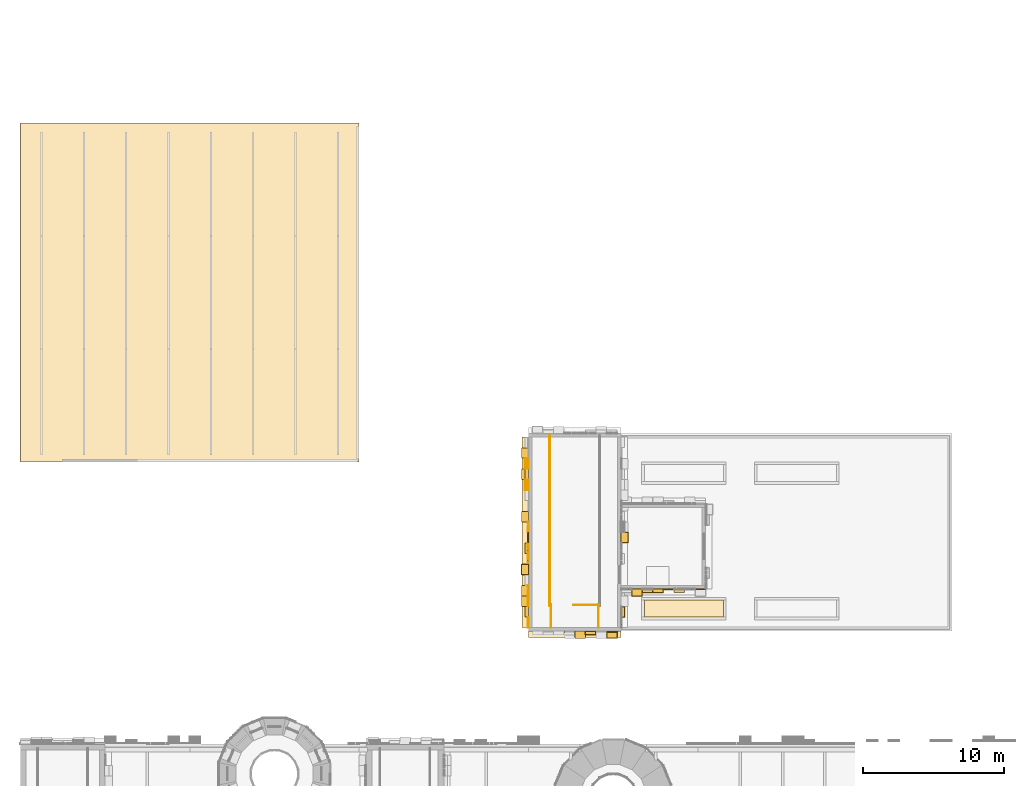
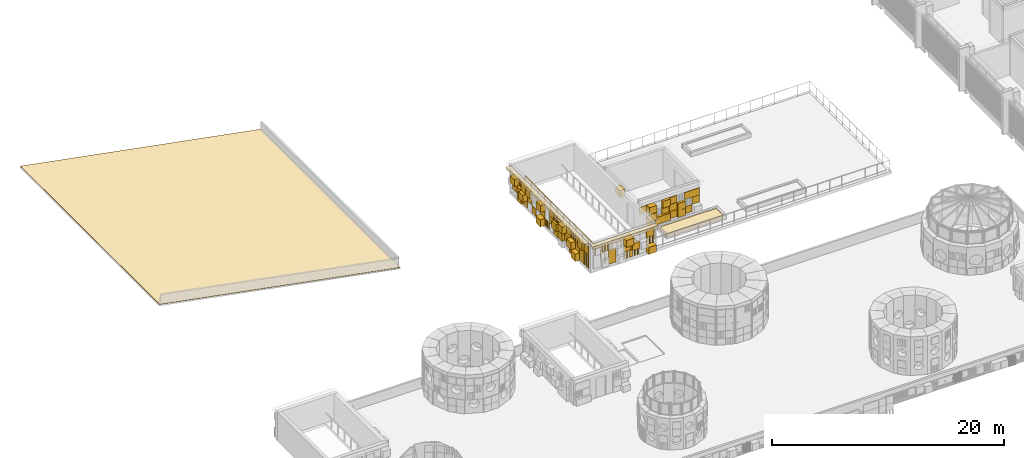
# One storey, part 80 of 98: 16 coverings, 4 railings.
"""IFC4 building model written with IfcOpenShell, lengths in metres."""

import ifcopenshell
import ifcopenshell.guid

model = None  # the IFC model being written
_history = None  # IfcOwnerHistory: only IFC2X3 demands one
_inside = {}  # id of a spatial element -> (the spatial element, [elements in it])
_under = {}  # id of a project, library or spatial element -> (it, [spatial elements below it])
_declared = {}  # id of a project -> (the project, [libraries it declares])
_typed = {}  # id of a type object -> (the type object, [elements of that type])
_made_of = {}  # id of a material, layer set ... -> (it, [elements and type objects made of it])


def new_model(schema):
    """Start an empty IFC model of exactly this schema.

    Asked for "IFC4X3", IfcOpenShell would pick the latest addendum, in which some entities
    have other attributes; the version numbers below select the first issue.
    IFC2X3 requires an IfcOwnerHistory on every rooted entity: one is made here for all.
    """
    global model, _history
    if schema == "IFC4X3":
        model = ifcopenshell.file(schema_version=(4, 3, 0, 0))
    else:
        model = ifcopenshell.file(schema=schema)
    _inside.clear()
    _under.clear()
    _declared.clear()
    _typed.clear()
    _made_of.clear()
    _history = None
    if model.schema == "IFC2X3":
        org = make("IfcOrganization", Name="unknown")
        user = make(
            "IfcPersonAndOrganization",
            ThePerson=make("IfcPerson", FamilyName="unknown"),
            TheOrganization=org,
        )
        app = make(
            "IfcApplication",
            ApplicationDeveloper=org,
            Version="unknown",
            ApplicationFullName="unknown",
            ApplicationIdentifier="unknown",
        )
        _history = make(
            "IfcOwnerHistory",
            OwningUser=user,
            OwningApplication=app,
            ChangeAction="ADDED",
            CreationDate=0,
        )
    return model


def make(cls, **values):
    """One entity of the class cls with the attributes given. An attribute that is None is left unset."""
    return model.create_entity(
        cls, **{name: value for name, value in values.items() if value is not None}
    )


def rooted(cls, **values):
    """An entity with a GlobalId (a new one), such as an element, a storey or a relation."""
    return make(cls, GlobalId=ifcopenshell.guid.new(), OwnerHistory=_history, **values)


def si_unit(unit_type, name, prefix=None):
    """IfcSIUnit, for example si_unit("LENGTHUNIT", "METRE", prefix="MILLI")."""
    return make("IfcSIUnit", UnitType=unit_type, Prefix=prefix, Name=name)


def assignment(units):
    """IfcUnitAssignment: the units of a project."""
    return None if units is None else make("IfcUnitAssignment", Units=units)


def point(xyz):
    """IfcCartesianPoint."""
    return None if xyz is None else make("IfcCartesianPoint", Coordinates=xyz)


def direction(xyz):
    """IfcDirection."""
    return None if xyz is None else make("IfcDirection", DirectionRatios=xyz)


def frame(location, z_axis=None, x_axis=None):
    """IfcAxis2Placement3D, a coordinate frame: its origin and axes. An axis left out is left unset."""
    return make(
        "IfcAxis2Placement3D",
        Location=point(location),
        Axis=direction(z_axis),
        RefDirection=direction(x_axis),
    )


def frame_2d(location, x_axis=None):
    """IfcAxis2Placement2D, a coordinate frame in the plane: its origin and x axis."""
    return make(
        "IfcAxis2Placement2D", Location=point(location), RefDirection=direction(x_axis)
    )


def origin():
    """The frame at (0, 0, 0) with its axes left unset."""
    return frame((0.0, 0.0, 0.0))


def origin_2d():
    """The frame at (0, 0) in the plane with its x axis left unset."""
    return frame_2d((0.0, 0.0))


def place(relative_to, where):
    """IfcLocalPlacement: puts the frame where relative to a parent placement (None: the world)."""
    return make(
        "IfcLocalPlacement", PlacementRelTo=relative_to, RelativePlacement=where
    )


def context(
    kind, dimensions, precision=None, world=None, true_north=None, identifier=None
):
    """IfcGeometricRepresentationContext, for example the 3D "Model" context."""
    return make(
        "IfcGeometricRepresentationContext",
        ContextIdentifier=identifier,
        ContextType=kind,
        CoordinateSpaceDimension=dimensions,
        Precision=precision,
        WorldCoordinateSystem=world,
        TrueNorth=true_north,
    )


def subcontext(parent, identifier, kind, view, scale=None):
    """IfcGeometricRepresentationSubContext, for example "Body" below "Model"."""
    return make(
        "IfcGeometricRepresentationSubContext",
        ContextIdentifier=identifier,
        ContextType=kind,
        ParentContext=parent,
        TargetScale=scale,
        TargetView=view,
    )


def project(units=None, contexts=None):
    """IfcProject with its units and contexts."""
    return rooted(
        "IfcProject",
        Name="project",
        RepresentationContexts=contexts,
        UnitsInContext=assignment(units),
    )


def spatial(cls, under=None, at=None, **own):
    """A site, building, storey or space (cls), placed at a placement, below another one or the project."""
    s = rooted(cls, ObjectPlacement=at, **own)
    if under is not None:
        _under.setdefault(under.id(), (under, []))[1].append(s)
    return s


def polyline(points):
    """IfcPolyline through the points."""
    return make("IfcPolyline", Points=[point(p) for p in points])


def profile(cls, at=None, kind="AREA", **sizes):
    """A parametric profile (cls). Its sizes go by their IFC names, for example OverallWidth=200.0."""
    return make(cls, ProfileType=kind, Position=at, **sizes)


def rectangle(**sizes):
    """IfcRectangleProfileDef."""
    return profile("IfcRectangleProfileDef", **sizes)


def circle(**sizes):
    """IfcCircleProfileDef."""
    return profile("IfcCircleProfileDef", **sizes)


def outline(outer, holes=None, kind="AREA"):
    """IfcArbitraryClosedProfileDef: a profile drawn as a closed curve; with holes, ...WithVoids."""
    if holes is None:
        return make("IfcArbitraryClosedProfileDef", ProfileType=kind, OuterCurve=outer)
    return make(
        "IfcArbitraryProfileDefWithVoids",
        ProfileType=kind,
        OuterCurve=outer,
        InnerCurves=holes,
    )


def extrude(swept, where, along, depth):
    """IfcExtrudedAreaSolid: the profile swept, set in the frame where, extruded along a direction by depth."""
    return make(
        "IfcExtrudedAreaSolid",
        SweptArea=swept,
        Position=where,
        ExtrudedDirection=direction(along),
        Depth=depth,
    )


def shape(context_of_items, identifier, shape_type, items):
    """IfcShapeRepresentation: the items that make up one representation, for example the "Body"."""
    return make(
        "IfcShapeRepresentation",
        ContextOfItems=context_of_items,
        RepresentationIdentifier=identifier,
        RepresentationType=shape_type,
        Items=items,
    )


def material(Name=None, Category=None):
    """IfcMaterial."""
    return make("IfcMaterial", Name=Name, Category=Category)


def layer(
    of_material, thickness, ventilated=None, Name=None, Category=None, Priority=None
):
    """IfcMaterialLayer: one layer of a wall or slab, of a material (None: an air gap)."""
    return make(
        "IfcMaterialLayer",
        Material=of_material,
        LayerThickness=thickness,
        IsVentilated=ventilated,
        Name=Name,
        Category=Category,
        Priority=Priority,
    )


def layer_set(layers, Name=None):
    """IfcMaterialLayerSet."""
    return make("IfcMaterialLayerSet", MaterialLayers=layers, LayerSetName=Name)


def made_of(thing, what):
    """Note that an element or type object is made of a material, layer set ...; save() writes the relation."""
    if what is not None:
        _made_of.setdefault(what.id(), (what, []))[1].append(thing)
    return thing


def type_object(cls, material=None, **own):
    """A type object (cls), such as IfcWallType, which elements share."""
    return made_of(rooted(cls, **own), material)


def element(
    cls,
    number,
    at=None,
    inside=None,
    cuts=None,
    type_object=None,
    material=None,
    context=None,
    identifier="Body",
    shape_type=None,
    held_by="IfcProductDefinitionShape",
    body=None,
    shapes=None,
    **own,
):
    """One element of the class cls, such as IfcWall. Its Tag is "e" and its number.

    at: its placement. inside: the storey or other place that contains it. cuts: it is an
    opening in that element (IfcRelVoidsElement). A single representation is given by context,
    identifier, shape_type and body (its items); several are given by shapes. held_by: the class
    of the entity that holds the representations. save() writes the other relations.
    """
    e = rooted(cls, Tag="e%d" % number, ObjectPlacement=at, **own)
    if body is not None:
        shapes = [shape(context, identifier, shape_type, body)]
    if shapes is not None:
        e.Representation = make(held_by, Representations=shapes)
    if inside is not None:
        _inside.setdefault(inside.id(), (inside, []))[1].append(e)
    if cuts is not None:
        rooted(
            "IfcRelVoidsElement", RelatingBuildingElement=cuts, RelatedOpeningElement=e
        )
    if type_object is not None:
        _typed.setdefault(type_object.id(), (type_object, []))[1].append(e)
    return made_of(e, material)


def aggregate(whole, parts):
    """IfcRelAggregates: a whole, such as a stair, and the parts it consists of."""
    return rooted("IfcRelAggregates", RelatingObject=whole, RelatedObjects=parts)


def save(model, path):
    """Write the relations noted so far, then the file.

    IfcRelAggregates (storeys below a building ...), IfcRelContainedInSpatialStructure (elements
    in a storey), IfcRelDefinesByType, IfcRelAssociatesMaterial and IfcRelDeclares: one each for
    every whole, place, type object, material and project.
    """
    for whole, parts in _under.values():
        aggregate(whole, parts)
    for where, things in _inside.values():
        rooted(
            "IfcRelContainedInSpatialStructure",
            RelatedElements=things,
            RelatingStructure=where,
        )
    for kind, things in _typed.values():
        rooted("IfcRelDefinesByType", RelatedObjects=things, RelatingType=kind)
    for what, things in _made_of.values():
        rooted("IfcRelAssociatesMaterial", RelatedObjects=things, RelatingMaterial=what)
    for by, libraries in _declared.values():
        rooted("IfcRelDeclares", RelatingContext=by, RelatedDefinitions=libraries)
    model.write(path)


model = new_model("IFC4")

# Units and contexts
model_context = context("Model", 3, precision=1e-05, world=origin(), true_north=direction((0.0, 1.0)))
body_context = subcontext(model_context, "Body", "Model", "MODEL_VIEW")
ifc_project = project(units=[si_unit("LENGTHUNIT", "METRE"), si_unit("AREAUNIT", "SQUARE_METRE"), si_unit("VOLUMEUNIT", "CUBIC_METRE"), si_unit("PLANEANGLEUNIT", "RADIAN"), si_unit("MASSUNIT", "GRAM", prefix="KILO")], contexts=[model_context])

# Site, building, storey
site_placement = place(None, origin())
site = spatial("IfcSite", under=ifc_project, at=site_placement, CompositionType="ELEMENT")
building_placement = place(site_placement, origin())
building = spatial("IfcBuilding", under=site, at=building_placement, Name="Sun Court Science Centre", CompositionType="ELEMENT")
storey_placement = place(building_placement, frame((0.0, 0.0, 15.75)))
storey = spatial("IfcBuildingStorey", under=building, at=storey_placement, Name="L03", CompositionType="ELEMENT", Elevation=15.75)

# Railings
ifc_material_1 = material(Name="Steel S275", Category="steel")
railing_type = type_object("IfcRailingType", Name="Guard 1100 steel balustrade", PredefinedType="GUARDRAIL", material=ifc_material_1)
railing_1_placement = place(storey_placement, frame((40.998046875, 37.847900390625, 0.0)))
element("IfcRailing", 1, at=railing_1_placement, inside=storey, type_object=railing_type, Name="L03 SP1 top well guard 1", PredefinedType="GUARDRAIL", context=body_context, shape_type="SweptSolid", body=[
    extrude(circle(Radius=0.02392578125, at=origin_2d()), frame((0.0, 0.0, 1.076171875), z_axis=(-1.0, 0.0, 0.0), x_axis=(0.0, -1.0, 0.0)), (0.0, 0.0, 1.0), 1.798095703125),
    extrude(circle(Radius=0.02099609375, at=origin_2d()), origin(), (0.0, 0.0, 1.0), 1.052001953125),
    extrude(circle(Radius=0.02099609375, at=origin_2d()), frame((-0.89892578125, 0.0, 0.0)), (0.0, 0.0, 1.0), 1.052001953125),
    extrude(circle(Radius=0.02099609375, at=origin_2d()), frame((-1.798095703125, 0.0, 0.0)), (0.0, 0.0, 1.0), 1.052001953125),
])
railing_2_placement = place(storey_placement, frame((37.501953125, 37.798095703125, 0.0)))
element("IfcRailing", 2, at=railing_2_placement, inside=storey, type_object=railing_type, Name="L03 SP1 top well guard 3", PredefinedType="GUARDRAIL", context=body_context, shape_type="SweptSolid", body=[
    extrude(circle(Radius=0.02392578125, at=origin_2d()), frame((0.0, 0.0, 1.076171875), z_axis=(0.0, 1.0, 0.0), x_axis=(-1.0, 0.0, 0.0)), (0.0, 0.0, 1.0), 12.052001953125),
    extrude(circle(Radius=0.02099609375, at=origin_2d()), origin(), (0.0, 0.0, 1.0), 1.052001953125),
    extrude(circle(Radius=0.02099609375, at=origin_2d()), frame((0.0, 1.095703125, 0.0)), (0.0, 0.0, 1.0), 1.052001953125),
    extrude(circle(Radius=0.02099609375, at=origin_2d()), frame((0.0, 2.191162109375, 0.0)), (0.0, 0.0, 1.0), 1.052001953125),
    extrude(circle(Radius=0.02099609375, at=origin_2d()), frame((0.0, 3.286865234375, 0.0)), (0.0, 0.0, 1.0), 1.052001953125),
    extrude(circle(Radius=0.02099609375, at=origin_2d()), frame((0.0, 4.382568359375, 0.0)), (0.0, 0.0, 1.0), 1.052001953125),
    extrude(circle(Radius=0.02099609375, at=origin_2d()), frame((0.0, 5.478271484375, 0.0)), (0.0, 0.0, 1.0), 1.052001953125),
    extrude(circle(Radius=0.02099609375, at=origin_2d()), frame((0.0, 6.57373046875, 0.0)), (0.0, 0.0, 1.0), 1.052001953125),
    extrude(circle(Radius=0.02099609375, at=origin_2d()), frame((0.0, 7.66943359375, 0.0)), (0.0, 0.0, 1.0), 1.052001953125),
    extrude(circle(Radius=0.02099609375, at=origin_2d()), frame((0.0, 8.76513671875, 0.0)), (0.0, 0.0, 1.0), 1.052001953125),
    extrude(circle(Radius=0.02099609375, at=origin_2d()), frame((0.0, 9.86083984375, 0.0)), (0.0, 0.0, 1.0), 1.052001953125),
    extrude(circle(Radius=0.02099609375, at=origin_2d()), frame((0.0, 10.956298828125, 0.0)), (0.0, 0.0, 1.0), 1.052001953125),
    extrude(circle(Radius=0.02099609375, at=origin_2d()), frame((0.0, 12.052001953125, 0.0)), (0.0, 0.0, 1.0), 1.052001953125),
])
for number, where, name in (
    (3, (40.947998046875, 36.25, 0.0), "L03 SP1 top well guard 4"),
    (4, (37.60205078125, 36.25, 0.0), "L03 SP1 top well guard 5"),
):
    element("IfcRailing", number, at=place(storey_placement, frame(where)), inside=storey, type_object=railing_type, Name=name, PredefinedType="GUARDRAIL", context=body_context, shape_type="SweptSolid", body=[
        extrude(circle(Radius=0.02392578125, at=origin_2d()), frame((0.0, 0.0, 1.076171875), z_axis=(0.0, 1.0, 0.0), x_axis=(-1.0, 0.0, 0.0)), (0.0, 0.0, 1.0), 1.64794921875),
        extrude(circle(Radius=0.02099609375, at=origin_2d()), origin(), (0.0, 0.0, 1.0), 1.052001953125),
        extrude(circle(Radius=0.02099609375, at=origin_2d()), frame((0.0, 0.823974609375, 0.0)), (0.0, 0.0, 1.0), 1.052001953125),
        extrude(circle(Radius=0.02099609375, at=origin_2d()), frame((0.0, 1.64794921875, 0.0)), (0.0, 0.0, 1.0), 1.052001953125),
    ])

# Coverings
ifc_material_2 = material(Name="Planting soil and lawn")
ifc_layer_1 = layer(ifc_material_2, 0.199951171875)
ifc_layer_set_1 = layer_set([ifc_layer_1], Name="Planting soil and lawn")
covering_type_1 = type_object("IfcCoveringType", Name="Planting bed 200", PredefinedType="FLOORING", material=ifc_layer_set_1)
covering_1_placement = place(storey_placement, origin())
element("IfcCovering", 5, at=covering_1_placement, inside=storey, type_object=covering_type_1, Name="Roof garden planting bed", PredefinedType="FLOORING", context=body_context, shape_type="SweptSolid", body=[
    extrude(outline(polyline([(44.199951171875, 37.0), (49.800048828125, 37.0), (49.800048828125, 38.199951171875), (44.199951171875, 38.199951171875), (44.199951171875, 37.0)])), origin(), (0.0, 0.0, 1.0), 0.39990234375),
])
ifc_material_3 = material(Name="Zinc roofing")
ifc_layer_2 = layer(ifc_material_3, 0.030029296875)
ifc_layer_set_2 = layer_set([ifc_layer_2], Name="Zinc roofing")
covering_type_2 = type_object("IfcCoveringType", Name="Standing seam roofing 30", PredefinedType="ROOFING", material=ifc_layer_set_2)
covering_2_placement = place(storey_placement, frame((0.011962890625, 48.0, 1.780029296875), z_axis=(0.184377316615, 0.0, 0.98285553624), x_axis=(0.98285553624, 0.0, -0.184377316615)))
element("IfcCovering", 6, at=covering_2_placement, inside=storey, type_object=covering_type_2, Name="Theatre roof zinc roofing", PredefinedType="ROOFING", context=body_context, shape_type="SweptSolid", body=[
    extrude(outline(polyline([(0.0, 0.0), (24.40647300125014, 0.0), (24.40647300125014, 24.0), (0.0, 24.0), (0.0, 0.0)])), origin(), (0.0, 0.0, -1.0), 0.030029296875),
])
ifc_material_4 = material(Name="Terracotta panel", Category="masonry")
ifc_layer_3 = layer(ifc_material_4, 0.449951171875)
ifc_layer_set_3 = layer_set([ifc_layer_3], Name="Terracotta panel")
covering_type_3 = type_object("IfcCoveringType", Name="Terracotta cornice 450", PredefinedType="CLADDING", material=ifc_layer_set_3)
covering_3_placement = place(storey_placement, frame((0.0, 0.0, -15.75)))
element("IfcCovering", 7, at=covering_3_placement, inside=storey, type_object=covering_type_3, Name="Terracotta cornice south face of core L03", PredefinedType="CLADDING", context=body_context, shape_type="SweptSolid", body=[
    extrude(rectangle(XDim=6.550048828125, YDim=0.449951171875, at=origin_2d()), frame((39.27490234375, 35.77490234375, 18.2001953125), z_axis=(0.0, 0.0, 1.0), x_axis=(-1.0, 0.0, 0.0)), (0.0, 0.0, 1.0), 0.300048828125),
])
covering_4_placement = place(storey_placement, frame((0.0, 0.0, -15.75)))
element("IfcCovering", 8, at=covering_4_placement, inside=storey, type_object=covering_type_3, Name="Terracotta cornice west face of core L03", PredefinedType="CLADDING", context=body_context, shape_type="SweptSolid", body=[
    extrude(rectangle(XDim=13.5, YDim=0.449951171875, at=origin_2d()), frame((35.77490234375, 43.0, 18.2001953125), z_axis=(0.0, 0.0, 1.0), x_axis=(0.0, 1.0, 0.0)), (0.0, 0.0, 1.0), 0.300048828125),
])
ifc_material_5 = material(Name="Terracotta jali", Category="masonry")
ifc_layer_4 = layer(ifc_material_5, 0.06005859375)
ifc_layer_set_4 = layer_set([ifc_layer_4], Name="Terracotta jali")
covering_type_4 = type_object("IfcCoveringType", Name="Terracotta open jali panel", PredefinedType="CLADDING", material=ifc_layer_set_4)
covering_5_placement = place(storey_placement, frame((0.0, 0.0, -15.75)))
element("IfcCovering", 9, at=covering_5_placement, inside=storey, type_object=covering_type_4, Name="Open jali pixel cladding south face of core L03", PredefinedType="CLADDING", context=body_context, shape_type="SweptSolid", body=[
    extrude(rectangle(XDim=0.139892578125, YDim=0.06005859375, at=origin_2d()), frame((40.699951171875, 35.969970703125, 15.830078125), z_axis=(0.0, 0.0, 1.0), x_axis=(-1.0, 0.0, 0.0)), (0.0, 0.0, 1.0), 0.739990234375),
    extrude(rectangle(XDim=0.139892578125, YDim=0.06005859375, at=origin_2d()), frame((40.39990234375, 35.969970703125, 15.830078125), z_axis=(0.0, 0.0, 1.0), x_axis=(-1.0, 0.0, 0.0)), (0.0, 0.0, 1.0), 0.739990234375),
    extrude(rectangle(XDim=0.139892578125, YDim=0.06005859375, at=origin_2d()), frame((40.10009765625, 35.969970703125, 15.830078125), z_axis=(0.0, 0.0, 1.0), x_axis=(-1.0, 0.0, 0.0)), (0.0, 0.0, 1.0), 0.739990234375),
    extrude(rectangle(XDim=0.139892578125, YDim=0.06005859375, at=origin_2d()), frame((39.949951171875, 35.969970703125, 15.830078125), z_axis=(0.0, 0.0, 1.0), x_axis=(-1.0, 0.0, 0.0)), (0.0, 0.0, 1.0), 0.739990234375),
    extrude(rectangle(XDim=0.139892578125, YDim=0.06005859375, at=origin_2d()), frame((39.64990234375, 35.969970703125, 15.830078125), z_axis=(0.0, 0.0, 1.0), x_axis=(-1.0, 0.0, 0.0)), (0.0, 0.0, 1.0), 0.739990234375),
    extrude(rectangle(XDim=0.139892578125, YDim=0.06005859375, at=origin_2d()), frame((39.35009765625, 35.969970703125, 15.830078125), z_axis=(0.0, 0.0, 1.0), x_axis=(-1.0, 0.0, 0.0)), (0.0, 0.0, 1.0), 0.739990234375),
    extrude(rectangle(XDim=0.139892578125, YDim=0.06005859375, at=origin_2d()), frame((42.199951171875, 35.969970703125, 16.580078125), z_axis=(0.0, 0.0, 1.0), x_axis=(-1.0, 0.0, 0.0)), (0.0, 0.0, 1.0), 0.739990234375),
    extrude(rectangle(XDim=0.139892578125, YDim=0.06005859375, at=origin_2d()), frame((41.89990234375, 35.969970703125, 16.580078125), z_axis=(0.0, 0.0, 1.0), x_axis=(-1.0, 0.0, 0.0)), (0.0, 0.0, 1.0), 0.739990234375),
    extrude(rectangle(XDim=0.139892578125, YDim=0.06005859375, at=origin_2d()), frame((41.60009765625, 35.969970703125, 16.580078125), z_axis=(0.0, 0.0, 1.0), x_axis=(-1.0, 0.0, 0.0)), (0.0, 0.0, 1.0), 0.739990234375),
    extrude(rectangle(XDim=0.139892578125, YDim=0.06005859375, at=origin_2d()), frame((37.699951171875, 35.969970703125, 17.330078125), z_axis=(0.0, 0.0, 1.0), x_axis=(-1.0, 0.0, 0.0)), (0.0, 0.0, 1.0), 0.739990234375),
    extrude(rectangle(XDim=0.139892578125, YDim=0.06005859375, at=origin_2d()), frame((37.39990234375, 35.969970703125, 17.330078125), z_axis=(0.0, 0.0, 1.0), x_axis=(-1.0, 0.0, 0.0)), (0.0, 0.0, 1.0), 0.739990234375),
    extrude(rectangle(XDim=0.139892578125, YDim=0.06005859375, at=origin_2d()), frame((37.10009765625, 35.969970703125, 17.330078125), z_axis=(0.0, 0.0, 1.0), x_axis=(-1.0, 0.0, 0.0)), (0.0, 0.0, 1.0), 0.739990234375),
    extrude(rectangle(XDim=0.739990234375, YDim=0.510009765625, at=origin_2d()), frame((41.89990234375, 35.7451171875, 15.830078125), z_axis=(0.0, 0.0, 1.0), x_axis=(-1.0, 0.0, 0.0)), (0.0, 0.0, 1.0), 0.739990234375),
    extrude(rectangle(XDim=0.739990234375, YDim=0.06005859375, at=origin_2d()), frame((41.89990234375, 35.969970703125, 17.330078125), z_axis=(0.0, 0.0, 1.0), x_axis=(-1.0, 0.0, 0.0)), (0.0, 0.0, 1.0), 0.739990234375),
])
covering_6_placement = place(storey_placement, frame((0.0, 0.0, -15.75)))
element("IfcCovering", 10, at=covering_6_placement, inside=storey, type_object=covering_type_4, Name="Open jali pixel cladding west face of core L03", PredefinedType="CLADDING", context=body_context, shape_type="SweptSolid", body=[
    extrude(rectangle(XDim=0.139892578125, YDim=0.06005859375, at=origin_2d()), frame((35.969970703125, 36.324951171875, 15.830078125), z_axis=(0.0, 0.0, 1.0), x_axis=(0.0, 1.0, 0.0)), (0.0, 0.0, 1.0), 0.739990234375),
    extrude(rectangle(XDim=0.139892578125, YDim=0.06005859375, at=origin_2d()), frame((35.969970703125, 36.625, 15.830078125), z_axis=(0.0, 0.0, 1.0), x_axis=(0.0, 1.0, 0.0)), (0.0, 0.0, 1.0), 0.739990234375),
    extrude(rectangle(XDim=0.139892578125, YDim=0.06005859375, at=origin_2d()), frame((35.969970703125, 36.925048828125, 15.830078125), z_axis=(0.0, 0.0, 1.0), x_axis=(0.0, 1.0, 0.0)), (0.0, 0.0, 1.0), 0.739990234375),
    extrude(rectangle(XDim=0.139892578125, YDim=0.06005859375, at=origin_2d()), frame((35.969970703125, 40.824951171875, 15.830078125), z_axis=(0.0, 0.0, 1.0), x_axis=(0.0, 1.0, 0.0)), (0.0, 0.0, 1.0), 0.739990234375),
    extrude(rectangle(XDim=0.139892578125, YDim=0.06005859375, at=origin_2d()), frame((35.969970703125, 41.125, 15.830078125), z_axis=(0.0, 0.0, 1.0), x_axis=(0.0, 1.0, 0.0)), (0.0, 0.0, 1.0), 0.739990234375),
    extrude(rectangle(XDim=0.139892578125, YDim=0.06005859375, at=origin_2d()), frame((35.969970703125, 41.425048828125, 15.830078125), z_axis=(0.0, 0.0, 1.0), x_axis=(0.0, 1.0, 0.0)), (0.0, 0.0, 1.0), 0.739990234375),
    extrude(rectangle(XDim=0.139892578125, YDim=0.06005859375, at=origin_2d()), frame((35.969970703125, 43.074951171875, 15.830078125), z_axis=(0.0, 0.0, 1.0), x_axis=(0.0, 1.0, 0.0)), (0.0, 0.0, 1.0), 0.739990234375),
    extrude(rectangle(XDim=0.139892578125, YDim=0.06005859375, at=origin_2d()), frame((35.969970703125, 43.375, 15.830078125), z_axis=(0.0, 0.0, 1.0), x_axis=(0.0, 1.0, 0.0)), (0.0, 0.0, 1.0), 0.739990234375),
    extrude(rectangle(XDim=0.139892578125, YDim=0.06005859375, at=origin_2d()), frame((35.969970703125, 43.675048828125, 15.830078125), z_axis=(0.0, 0.0, 1.0), x_axis=(0.0, 1.0, 0.0)), (0.0, 0.0, 1.0), 0.739990234375),
    extrude(rectangle(XDim=0.139892578125, YDim=0.06005859375, at=origin_2d()), frame((35.969970703125, 36.324951171875, 16.580078125), z_axis=(0.0, 0.0, 1.0), x_axis=(0.0, 1.0, 0.0)), (0.0, 0.0, 1.0), 0.739990234375),
    extrude(rectangle(XDim=0.139892578125, YDim=0.06005859375, at=origin_2d()), frame((35.969970703125, 36.625, 16.580078125), z_axis=(0.0, 0.0, 1.0), x_axis=(0.0, 1.0, 0.0)), (0.0, 0.0, 1.0), 0.739990234375),
    extrude(rectangle(XDim=0.139892578125, YDim=0.06005859375, at=origin_2d()), frame((35.969970703125, 36.925048828125, 16.580078125), z_axis=(0.0, 0.0, 1.0), x_axis=(0.0, 1.0, 0.0)), (0.0, 0.0, 1.0), 0.739990234375),
    extrude(rectangle(XDim=0.139892578125, YDim=0.06005859375, at=origin_2d()), frame((35.969970703125, 40.824951171875, 16.580078125), z_axis=(0.0, 0.0, 1.0), x_axis=(0.0, 1.0, 0.0)), (0.0, 0.0, 1.0), 0.739990234375),
    extrude(rectangle(XDim=0.139892578125, YDim=0.06005859375, at=origin_2d()), frame((35.969970703125, 41.125, 16.580078125), z_axis=(0.0, 0.0, 1.0), x_axis=(0.0, 1.0, 0.0)), (0.0, 0.0, 1.0), 0.739990234375),
    extrude(rectangle(XDim=0.139892578125, YDim=0.06005859375, at=origin_2d()), frame((35.969970703125, 41.425048828125, 16.580078125), z_axis=(0.0, 0.0, 1.0), x_axis=(0.0, 1.0, 0.0)), (0.0, 0.0, 1.0), 0.739990234375),
    extrude(rectangle(XDim=0.139892578125, YDim=0.06005859375, at=origin_2d()), frame((35.969970703125, 38.574951171875, 17.330078125), z_axis=(0.0, 0.0, 1.0), x_axis=(0.0, 1.0, 0.0)), (0.0, 0.0, 1.0), 0.739990234375),
    extrude(rectangle(XDim=0.139892578125, YDim=0.06005859375, at=origin_2d()), frame((35.969970703125, 38.875, 17.330078125), z_axis=(0.0, 0.0, 1.0), x_axis=(0.0, 1.0, 0.0)), (0.0, 0.0, 1.0), 0.739990234375),
    extrude(rectangle(XDim=0.139892578125, YDim=0.06005859375, at=origin_2d()), frame((35.969970703125, 39.175048828125, 17.330078125), z_axis=(0.0, 0.0, 1.0), x_axis=(0.0, 1.0, 0.0)), (0.0, 0.0, 1.0), 0.739990234375),
    extrude(rectangle(XDim=0.139892578125, YDim=0.06005859375, at=origin_2d()), frame((35.969970703125, 41.574951171875, 17.330078125), z_axis=(0.0, 0.0, 1.0), x_axis=(0.0, 1.0, 0.0)), (0.0, 0.0, 1.0), 0.739990234375),
    extrude(rectangle(XDim=0.139892578125, YDim=0.06005859375, at=origin_2d()), frame((35.969970703125, 41.875, 17.330078125), z_axis=(0.0, 0.0, 1.0), x_axis=(0.0, 1.0, 0.0)), (0.0, 0.0, 1.0), 0.739990234375),
    extrude(rectangle(XDim=0.139892578125, YDim=0.06005859375, at=origin_2d()), frame((35.969970703125, 42.175048828125, 17.330078125), z_axis=(0.0, 0.0, 1.0), x_axis=(0.0, 1.0, 0.0)), (0.0, 0.0, 1.0), 0.739990234375),
    extrude(rectangle(XDim=0.139892578125, YDim=0.06005859375, at=origin_2d()), frame((35.969970703125, 47.574951171875, 17.330078125), z_axis=(0.0, 0.0, 1.0), x_axis=(0.0, 1.0, 0.0)), (0.0, 0.0, 1.0), 0.739990234375),
    extrude(rectangle(XDim=0.139892578125, YDim=0.06005859375, at=origin_2d()), frame((35.969970703125, 47.875, 17.330078125), z_axis=(0.0, 0.0, 1.0), x_axis=(0.0, 1.0, 0.0)), (0.0, 0.0, 1.0), 0.739990234375),
    extrude(rectangle(XDim=0.139892578125, YDim=0.06005859375, at=origin_2d()), frame((35.969970703125, 48.175048828125, 17.330078125), z_axis=(0.0, 0.0, 1.0), x_axis=(0.0, 1.0, 0.0)), (0.0, 0.0, 1.0), 0.739990234375),
    extrude(rectangle(XDim=0.739990234375, YDim=0.260009765625, at=origin_2d()), frame((35.8701171875, 47.875, 15.830078125), z_axis=(0.0, 0.0, 1.0), x_axis=(0.0, 1.0, 0.0)), (0.0, 0.0, 1.0), 0.739990234375),
    extrude(rectangle(XDim=0.739990234375, YDim=0.260009765625, at=origin_2d()), frame((35.8701171875, 47.875, 16.580078125), z_axis=(0.0, 0.0, 1.0), x_axis=(0.0, 1.0, 0.0)), (0.0, 0.0, 1.0), 0.739990234375),
])
ifc_material_6 = material(Name="Terracotta shade 1", Category="masonry")
ifc_layer_5 = layer(ifc_material_6, 0.06005859375)
ifc_layer_set_5 = layer_set([ifc_layer_5], Name="Terracotta shade 1")
covering_type_5 = type_object("IfcCoveringType", Name="Terracotta pixel panel shade 1", PredefinedType="CLADDING", material=ifc_layer_set_5)
covering_7_placement = place(storey_placement, frame((0.0, 0.0, -15.75)))
element("IfcCovering", 11, at=covering_7_placement, inside=storey, type_object=covering_type_5, Name="Terracotta pixel cladding shade 1 south wall L03", PredefinedType="CLADDING", context=body_context, shape_type="SweptSolid", body=[
    extrude(rectangle(XDim=0.739990234375, YDim=0.510009765625, at=origin_2d()), frame((43.675048828125, 38.7451171875, 16.80517578125), z_axis=(0.0, 0.0, 1.0), x_axis=(-1.0, 0.0, 0.0)), (0.0, 0.0, 1.0), 0.739990234375),
    extrude(rectangle(XDim=0.739990234375, YDim=0.06005859375, at=origin_2d()), frame((48.175048828125, 38.969970703125, 17.55517578125), z_axis=(0.0, 0.0, 1.0), x_axis=(-1.0, 0.0, 0.0)), (0.0, 0.0, 1.0), 0.739990234375),
    extrude(rectangle(XDim=0.739990234375, YDim=0.06005859375, at=origin_2d()), frame((47.425048828125, 38.969970703125, 17.55517578125), z_axis=(0.0, 0.0, 1.0), x_axis=(-1.0, 0.0, 0.0)), (0.0, 0.0, 1.0), 0.739990234375),
    extrude(rectangle(XDim=0.739990234375, YDim=0.06005859375, at=origin_2d()), frame((45.925048828125, 38.969970703125, 17.55517578125), z_axis=(0.0, 0.0, 1.0), x_axis=(-1.0, 0.0, 0.0)), (0.0, 0.0, 1.0), 0.739990234375),
    extrude(rectangle(XDim=0.739990234375, YDim=0.260009765625, at=origin_2d()), frame((45.175048828125, 38.8701171875, 17.55517578125), z_axis=(0.0, 0.0, 1.0), x_axis=(-1.0, 0.0, 0.0)), (0.0, 0.0, 1.0), 0.739990234375),
    extrude(rectangle(XDim=0.739990234375, YDim=0.06005859375, at=origin_2d()), frame((42.925048828125, 38.969970703125, 17.55517578125), z_axis=(0.0, 0.0, 1.0), x_axis=(-1.0, 0.0, 0.0)), (0.0, 0.0, 1.0), 0.739990234375),
    extrude(rectangle(XDim=0.739990234375, YDim=0.06005859375, at=origin_2d()), frame((48.175048828125, 38.969970703125, 16.80517578125), z_axis=(0.0, 0.0, 1.0), x_axis=(-1.0, 0.0, 0.0)), (0.0, 0.0, 1.0), 0.739990234375),
])
ifc_material_7 = material(Name="Terracotta shade 2", Category="masonry")
ifc_layer_6 = layer(ifc_material_7, 0.06005859375)
ifc_layer_set_6 = layer_set([ifc_layer_6], Name="Terracotta shade 2")
covering_type_6 = type_object("IfcCoveringType", Name="Terracotta pixel panel shade 2", PredefinedType="CLADDING", material=ifc_layer_set_6)
covering_8_placement = place(storey_placement, frame((0.0, 0.0, -15.75)))
element("IfcCovering", 12, at=covering_8_placement, inside=storey, type_object=covering_type_6, Name="Terracotta pixel cladding shade 2 west face of core L03", PredefinedType="CLADDING", context=body_context, shape_type="SweptSolid", body=[
    extrude(rectangle(XDim=0.739990234375, YDim=0.06005859375, at=origin_2d()), frame((35.969970703125, 37.375, 15.830078125), z_axis=(0.0, 0.0, 1.0), x_axis=(0.0, 1.0, 0.0)), (0.0, 0.0, 1.0), 0.739990234375),
    extrude(rectangle(XDim=0.739990234375, YDim=0.260009765625, at=origin_2d()), frame((35.8701171875, 38.875, 15.830078125), z_axis=(0.0, 0.0, 1.0), x_axis=(0.0, 1.0, 0.0)), (0.0, 0.0, 1.0), 0.739990234375),
    extrude(rectangle(XDim=0.739990234375, YDim=0.510009765625, at=origin_2d()), frame((35.7451171875, 44.125, 15.830078125), z_axis=(0.0, 0.0, 1.0), x_axis=(0.0, 1.0, 0.0)), (0.0, 0.0, 1.0), 0.739990234375),
    extrude(rectangle(XDim=0.739990234375, YDim=0.06005859375, at=origin_2d()), frame((35.969970703125, 45.625, 15.830078125), z_axis=(0.0, 0.0, 1.0), x_axis=(0.0, 1.0, 0.0)), (0.0, 0.0, 1.0), 0.739990234375),
    extrude(rectangle(XDim=0.739990234375, YDim=0.510009765625, at=origin_2d()), frame((35.7451171875, 38.875, 16.580078125), z_axis=(0.0, 0.0, 1.0), x_axis=(0.0, 1.0, 0.0)), (0.0, 0.0, 1.0), 0.739990234375),
    extrude(rectangle(XDim=0.739990234375, YDim=0.260009765625, at=origin_2d()), frame((35.8701171875, 39.625, 16.580078125), z_axis=(0.0, 0.0, 1.0), x_axis=(0.0, 1.0, 0.0)), (0.0, 0.0, 1.0), 0.739990234375),
    extrude(rectangle(XDim=0.739990234375, YDim=0.260009765625, at=origin_2d()), frame((35.8701171875, 41.875, 16.580078125), z_axis=(0.0, 0.0, 1.0), x_axis=(0.0, 1.0, 0.0)), (0.0, 0.0, 1.0), 0.739990234375),
    extrude(rectangle(XDim=0.739990234375, YDim=0.06005859375, at=origin_2d()), frame((35.969970703125, 44.125, 16.580078125), z_axis=(0.0, 0.0, 1.0), x_axis=(0.0, 1.0, 0.0)), (0.0, 0.0, 1.0), 0.739990234375),
    extrude(rectangle(XDim=0.739990234375, YDim=0.260009765625, at=origin_2d()), frame((35.8701171875, 48.625, 16.580078125), z_axis=(0.0, 0.0, 1.0), x_axis=(0.0, 1.0, 0.0)), (0.0, 0.0, 1.0), 0.739990234375),
    extrude(rectangle(XDim=0.739990234375, YDim=0.260009765625, at=origin_2d()), frame((35.8701171875, 37.375, 17.330078125), z_axis=(0.0, 0.0, 1.0), x_axis=(0.0, 1.0, 0.0)), (0.0, 0.0, 1.0), 0.739990234375),
    extrude(rectangle(XDim=0.739990234375, YDim=0.510009765625, at=origin_2d()), frame((35.7451171875, 44.125, 17.330078125), z_axis=(0.0, 0.0, 1.0), x_axis=(0.0, 1.0, 0.0)), (0.0, 0.0, 1.0), 0.739990234375),
    extrude(rectangle(XDim=0.739990234375, YDim=0.510009765625, at=origin_2d()), frame((35.7451171875, 48.625, 17.330078125), z_axis=(0.0, 0.0, 1.0), x_axis=(0.0, 1.0, 0.0)), (0.0, 0.0, 1.0), 0.739990234375),
    extrude(rectangle(XDim=0.739990234375, YDim=0.06005859375, at=origin_2d()), frame((35.969970703125, 37.375, 16.580078125), z_axis=(0.0, 0.0, 1.0), x_axis=(0.0, 1.0, 0.0)), (0.0, 0.0, 1.0), 0.739990234375),
])
covering_9_placement = place(storey_placement, frame((0.0, 0.0, -15.75)))
element("IfcCovering", 13, at=covering_9_placement, inside=storey, type_object=covering_type_6, Name="Terracotta pixel cladding shade 2 south wall L03", PredefinedType="CLADDING", context=body_context, shape_type="SweptSolid", body=[
    extrude(rectangle(XDim=0.739990234375, YDim=0.260009765625, at=origin_2d()), frame((46.675048828125, 38.8701171875, 16.05517578125), z_axis=(0.0, 0.0, 1.0), x_axis=(-1.0, 0.0, 0.0)), (0.0, 0.0, 1.0), 0.739990234375),
    extrude(rectangle(XDim=0.739990234375, YDim=0.06005859375, at=origin_2d()), frame((45.925048828125, 38.969970703125, 16.05517578125), z_axis=(0.0, 0.0, 1.0), x_axis=(-1.0, 0.0, 0.0)), (0.0, 0.0, 1.0), 0.739990234375),
    extrude(rectangle(XDim=0.739990234375, YDim=0.06005859375, at=origin_2d()), frame((45.175048828125, 38.969970703125, 16.80517578125), z_axis=(0.0, 0.0, 1.0), x_axis=(-1.0, 0.0, 0.0)), (0.0, 0.0, 1.0), 0.739990234375),
    extrude(rectangle(XDim=0.739990234375, YDim=0.510009765625, at=origin_2d()), frame((43.675048828125, 38.7451171875, 17.55517578125), z_axis=(0.0, 0.0, 1.0), x_axis=(-1.0, 0.0, 0.0)), (0.0, 0.0, 1.0), 0.739990234375),
    extrude(rectangle(XDim=0.739990234375, YDim=0.260009765625, at=origin_2d()), frame((46.675048828125, 38.8701171875, 16.80517578125), z_axis=(0.0, 0.0, 1.0), x_axis=(-1.0, 0.0, 0.0)), (0.0, 0.0, 1.0), 0.739990234375),
])
ifc_material_8 = material(Name="Terracotta shade 3", Category="masonry")
ifc_layer_7 = layer(ifc_material_8, 0.06005859375)
ifc_layer_set_7 = layer_set([ifc_layer_7], Name="Terracotta shade 3")
covering_type_7 = type_object("IfcCoveringType", Name="Terracotta pixel panel shade 3", PredefinedType="CLADDING", material=ifc_layer_set_7)
covering_10_placement = place(storey_placement, frame((0.0, 0.0, -15.75)))
element("IfcCovering", 14, at=covering_10_placement, inside=storey, type_object=covering_type_7, Name="Terracotta pixel cladding shade 3 south face of core L03", PredefinedType="CLADDING", context=body_context, shape_type="SweptSolid", body=[
    extrude(rectangle(XDim=0.739990234375, YDim=0.06005859375, at=origin_2d()), frame((39.64990234375, 35.969970703125, 16.580078125), z_axis=(0.0, 0.0, 1.0), x_axis=(-1.0, 0.0, 0.0)), (0.0, 0.0, 1.0), 0.739990234375),
    extrude(rectangle(XDim=0.739990234375, YDim=0.510009765625, at=origin_2d()), frame((39.64990234375, 35.7451171875, 17.330078125), z_axis=(0.0, 0.0, 1.0), x_axis=(-1.0, 0.0, 0.0)), (0.0, 0.0, 1.0), 0.739990234375),
])
covering_11_placement = place(storey_placement, frame((0.0, 0.0, -15.75)))
element("IfcCovering", 15, at=covering_11_placement, inside=storey, type_object=covering_type_7, Name="Terracotta pixel cladding shade 3 west face of core L03", PredefinedType="CLADDING", context=body_context, shape_type="SweptSolid", body=[
    extrude(rectangle(XDim=0.739990234375, YDim=0.510009765625, at=origin_2d()), frame((35.7451171875, 38.125, 15.830078125), z_axis=(0.0, 0.0, 1.0), x_axis=(0.0, 1.0, 0.0)), (0.0, 0.0, 1.0), 0.739990234375),
    extrude(rectangle(XDim=0.739990234375, YDim=0.06005859375, at=origin_2d()), frame((35.969970703125, 41.875, 15.830078125), z_axis=(0.0, 0.0, 1.0), x_axis=(0.0, 1.0, 0.0)), (0.0, 0.0, 1.0), 0.739990234375),
    extrude(rectangle(XDim=0.739990234375, YDim=0.06005859375, at=origin_2d()), frame((35.969970703125, 42.625, 16.580078125), z_axis=(0.0, 0.0, 1.0), x_axis=(0.0, 1.0, 0.0)), (0.0, 0.0, 1.0), 0.739990234375),
    extrude(rectangle(XDim=0.739990234375, YDim=0.06005859375, at=origin_2d()), frame((35.969970703125, 46.375, 16.580078125), z_axis=(0.0, 0.0, 1.0), x_axis=(0.0, 1.0, 0.0)), (0.0, 0.0, 1.0), 0.739990234375),
    extrude(rectangle(XDim=0.739990234375, YDim=0.06005859375, at=origin_2d()), frame((35.969970703125, 39.625, 17.330078125), z_axis=(0.0, 0.0, 1.0), x_axis=(0.0, 1.0, 0.0)), (0.0, 0.0, 1.0), 0.739990234375),
    extrude(rectangle(XDim=0.739990234375, YDim=0.510009765625, at=origin_2d()), frame((35.7451171875, 40.375, 17.330078125), z_axis=(0.0, 0.0, 1.0), x_axis=(0.0, 1.0, 0.0)), (0.0, 0.0, 1.0), 0.739990234375),
    extrude(rectangle(XDim=0.739990234375, YDim=0.06005859375, at=origin_2d()), frame((35.969970703125, 41.125, 17.330078125), z_axis=(0.0, 0.0, 1.0), x_axis=(0.0, 1.0, 0.0)), (0.0, 0.0, 1.0), 0.739990234375),
    extrude(rectangle(XDim=0.739990234375, YDim=0.260009765625, at=origin_2d()), frame((35.8701171875, 47.125, 17.330078125), z_axis=(0.0, 0.0, 1.0), x_axis=(0.0, 1.0, 0.0)), (0.0, 0.0, 1.0), 0.739990234375),
    extrude(rectangle(XDim=0.739990234375, YDim=0.06005859375, at=origin_2d()), frame((35.969970703125, 38.125, 17.330078125), z_axis=(0.0, 0.0, 1.0), x_axis=(0.0, 1.0, 0.0)), (0.0, 0.0, 1.0), 0.739990234375),
    extrude(rectangle(XDim=0.739990234375, YDim=0.06005859375, at=origin_2d()), frame((35.969970703125, 47.125, 15.830078125), z_axis=(0.0, 0.0, 1.0), x_axis=(0.0, 1.0, 0.0)), (0.0, 0.0, 1.0), 0.739990234375),
    extrude(rectangle(XDim=0.739990234375, YDim=0.510009765625, at=origin_2d()), frame((35.7451171875, 47.125, 16.580078125), z_axis=(0.0, 0.0, 1.0), x_axis=(0.0, 1.0, 0.0)), (0.0, 0.0, 1.0), 0.739990234375),
])
covering_12_placement = place(storey_placement, frame((0.0, 0.0, -15.75)))
element("IfcCovering", 16, at=covering_12_placement, inside=storey, type_object=covering_type_7, Name="Terracotta pixel cladding shade 3 south wall L03", PredefinedType="CLADDING", context=body_context, shape_type="SweptSolid", body=[
    extrude(rectangle(XDim=0.739990234375, YDim=0.06005859375, at=origin_2d()), frame((47.425048828125, 38.969970703125, 16.05517578125), z_axis=(0.0, 0.0, 1.0), x_axis=(-1.0, 0.0, 0.0)), (0.0, 0.0, 1.0), 0.739990234375),
    extrude(rectangle(XDim=0.739990234375, YDim=0.260009765625, at=origin_2d()), frame((45.175048828125, 38.8701171875, 16.05517578125), z_axis=(0.0, 0.0, 1.0), x_axis=(-1.0, 0.0, 0.0)), (0.0, 0.0, 1.0), 0.739990234375),
    extrude(rectangle(XDim=0.739990234375, YDim=0.260009765625, at=origin_2d()), frame((44.425048828125, 38.8701171875, 16.05517578125), z_axis=(0.0, 0.0, 1.0), x_axis=(-1.0, 0.0, 0.0)), (0.0, 0.0, 1.0), 0.739990234375),
    extrude(rectangle(XDim=0.739990234375, YDim=0.06005859375, at=origin_2d()), frame((45.925048828125, 38.969970703125, 16.80517578125), z_axis=(0.0, 0.0, 1.0), x_axis=(-1.0, 0.0, 0.0)), (0.0, 0.0, 1.0), 0.739990234375),
])
ifc_material_9 = material(Name="Terracotta shade 4", Category="masonry")
ifc_layer_8 = layer(ifc_material_9, 0.06005859375)
ifc_layer_set_8 = layer_set([ifc_layer_8], Name="Terracotta shade 4")
covering_type_8 = type_object("IfcCoveringType", Name="Terracotta pixel panel shade 4", PredefinedType="CLADDING", material=ifc_layer_set_8)
covering_13_placement = place(storey_placement, frame((0.0, 0.0, -15.75)))
element("IfcCovering", 17, at=covering_13_placement, inside=storey, type_object=covering_type_8, Name="Terracotta pixel cladding shade 4 east face of core L03", PredefinedType="CLADDING", context=body_context, shape_type="SweptSolid", body=[
    extrude(rectangle(XDim=0.739990234375, YDim=0.06005859375, at=origin_2d()), frame((42.580078125, 36.625, 16.580078125), z_axis=(0.0, 0.0, 1.0), x_axis=(0.0, -1.0, 0.0)), (0.0, 0.0, 1.0), 0.739990234375),
    extrude(rectangle(XDim=0.739990234375, YDim=0.510009765625, at=origin_2d()), frame((42.804931640625, 42.625, 17.330078125), z_axis=(0.0, 0.0, 1.0), x_axis=(0.0, -1.0, 0.0)), (0.0, 0.0, 1.0), 0.739990234375),
    extrude(rectangle(XDim=0.739990234375, YDim=0.260009765625, at=origin_2d()), frame((42.679931640625, 37.375, 17.330078125), z_axis=(0.0, 0.0, 1.0), x_axis=(0.0, -1.0, 0.0)), (0.0, 0.0, 1.0), 0.739990234375),
    extrude(rectangle(XDim=0.739990234375, YDim=0.06005859375, at=origin_2d()), frame((42.580078125, 36.625, 17.330078125), z_axis=(0.0, 0.0, 1.0), x_axis=(0.0, -1.0, 0.0)), (0.0, 0.0, 1.0), 0.739990234375),
])
covering_14_placement = place(storey_placement, frame((0.0, 0.0, -15.75)))
element("IfcCovering", 18, at=covering_14_placement, inside=storey, type_object=covering_type_8, Name="Terracotta pixel cladding shade 4 south face of core L03", PredefinedType="CLADDING", context=body_context, shape_type="SweptSolid", body=[
    extrude(rectangle(XDim=0.739990234375, YDim=0.06005859375, at=origin_2d()), frame((38.14990234375, 35.969970703125, 15.830078125), z_axis=(0.0, 0.0, 1.0), x_axis=(-1.0, 0.0, 0.0)), (0.0, 0.0, 1.0), 0.739990234375),
    extrude(rectangle(XDim=0.739990234375, YDim=0.260009765625, at=origin_2d()), frame((40.39990234375, 35.8701171875, 16.580078125), z_axis=(0.0, 0.0, 1.0), x_axis=(-1.0, 0.0, 0.0)), (0.0, 0.0, 1.0), 0.739990234375),
    extrude(rectangle(XDim=0.739990234375, YDim=0.06005859375, at=origin_2d()), frame((38.14990234375, 35.969970703125, 16.580078125), z_axis=(0.0, 0.0, 1.0), x_axis=(-1.0, 0.0, 0.0)), (0.0, 0.0, 1.0), 0.739990234375),
])
covering_15_placement = place(storey_placement, frame((0.0, 0.0, -15.75)))
element("IfcCovering", 19, at=covering_15_placement, inside=storey, type_object=covering_type_8, Name="Terracotta pixel cladding shade 4 west face of core L03", PredefinedType="CLADDING", context=body_context, shape_type="SweptSolid", body=[
    extrude(rectangle(XDim=0.739990234375, YDim=0.510009765625, at=origin_2d()), frame((35.7451171875, 40.375, 16.580078125), z_axis=(0.0, 0.0, 1.0), x_axis=(0.0, 1.0, 0.0)), (0.0, 0.0, 1.0), 0.739990234375),
    extrude(rectangle(XDim=0.739990234375, YDim=0.06005859375, at=origin_2d()), frame((35.969970703125, 42.625, 17.330078125), z_axis=(0.0, 0.0, 1.0), x_axis=(0.0, 1.0, 0.0)), (0.0, 0.0, 1.0), 0.739990234375),
])
ifc_material_10 = material(Name="Terracotta shade 5", Category="masonry")
ifc_layer_9 = layer(ifc_material_10, 0.06005859375)
ifc_layer_set_9 = layer_set([ifc_layer_9], Name="Terracotta shade 5")
covering_type_9 = type_object("IfcCoveringType", Name="Terracotta pixel panel shade 5", PredefinedType="CLADDING", material=ifc_layer_set_9)
covering_16_placement = place(storey_placement, frame((0.0, 0.0, -15.75)))
element("IfcCovering", 20, at=covering_16_placement, inside=storey, type_object=covering_type_9, Name="Terracotta pixel cladding shade 5 west face of core L03", PredefinedType="CLADDING", context=body_context, shape_type="SweptSolid", body=[
    extrude(rectangle(XDim=0.739990234375, YDim=0.06005859375, at=origin_2d()), frame((35.969970703125, 38.125, 16.580078125), z_axis=(0.0, 0.0, 1.0), x_axis=(0.0, 1.0, 0.0)), (0.0, 0.0, 1.0), 0.739990234375),
    extrude(rectangle(XDim=0.739990234375, YDim=0.06005859375, at=origin_2d()), frame((35.969970703125, 36.625, 17.330078125), z_axis=(0.0, 0.0, 1.0), x_axis=(0.0, 1.0, 0.0)), (0.0, 0.0, 1.0), 0.739990234375),
    extrude(rectangle(XDim=0.739990234375, YDim=0.260009765625, at=origin_2d()), frame((35.8701171875, 46.375, 17.330078125), z_axis=(0.0, 0.0, 1.0), x_axis=(0.0, 1.0, 0.0)), (0.0, 0.0, 1.0), 0.739990234375),
])

save(model, "model.ifc")
